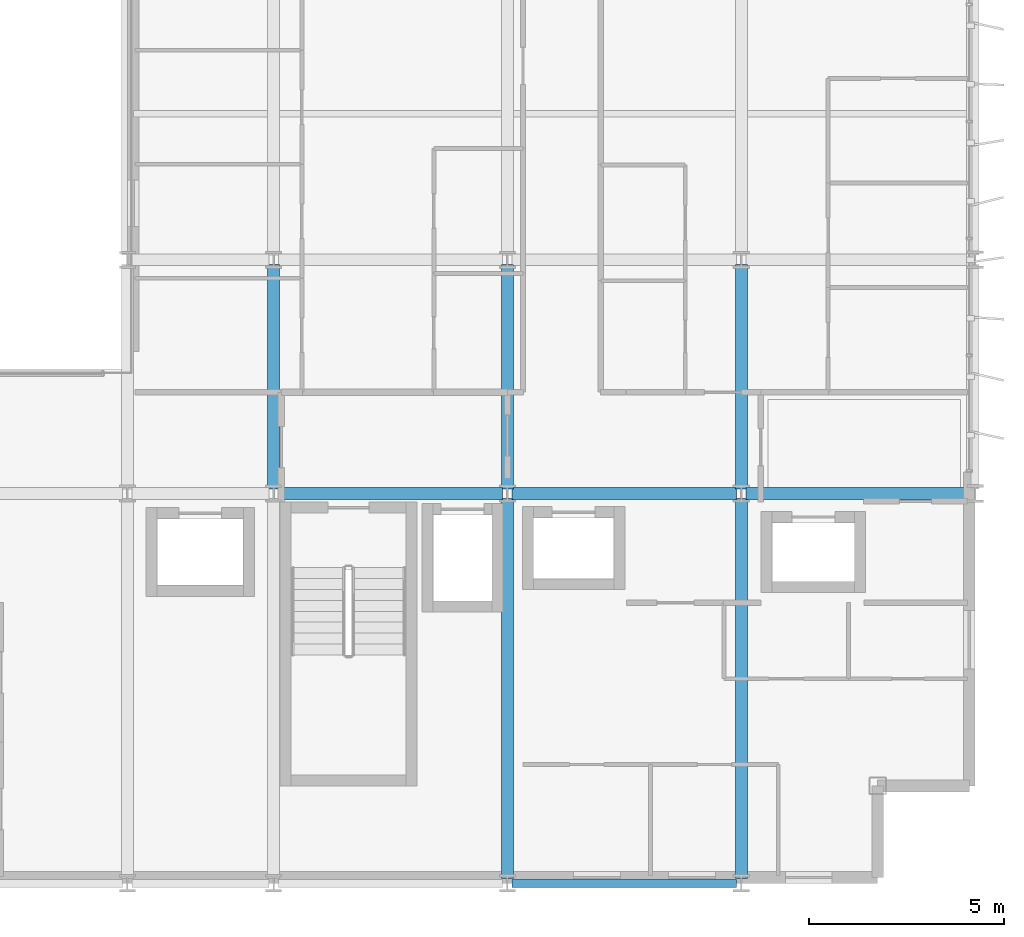
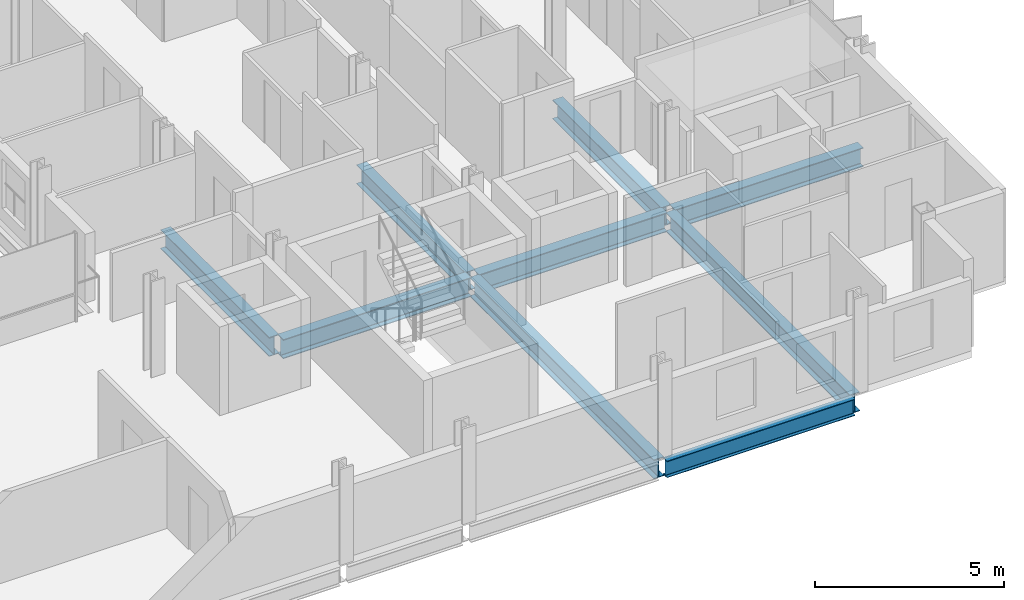
# One storey, part 14 of 38: 9 beams.
"""IFC4 building model written with IfcOpenShell, lengths in metres."""

from ifc_helpers import new_model, si_unit, direction, frame, origin, origin_2d, place, context, subcontext, project, spatial, i_section, extrude, material, material_profile, profile_set, type_object, element, save


model = new_model("IFC4")

# Units and contexts
model_context = context("Model", 3, precision=1e-05, world=origin(), true_north=direction((0.0, 1.0)))
body_context = subcontext(model_context, "Body", "Model", "MODEL_VIEW")
ifc_project = project(units=[si_unit("LENGTHUNIT", "METRE"), si_unit("AREAUNIT", "SQUARE_METRE"), si_unit("VOLUMEUNIT", "CUBIC_METRE"), si_unit("PLANEANGLEUNIT", "RADIAN"), si_unit("MASSUNIT", "GRAM", prefix="KILO")], contexts=[model_context])

# Site, building, storey
site_placement = place(None, origin())
site = spatial("IfcSite", under=ifc_project, at=site_placement, CompositionType="ELEMENT")
building_placement = place(site_placement, origin())
building = spatial("IfcBuilding", under=site, at=building_placement, Name="Brevholm Reach", CompositionType="ELEMENT")
storey_placement = place(building_placement, frame((0.0, 0.0, 71.39990234375)))
storey = spatial("IfcBuildingStorey", under=building, at=storey_placement, Name="L20", CompositionType="ELEMENT", Elevation=71.39990234375)

# Beams
ifc_material_1 = material(Name="Structural Steel S355J2", Category="steel")
ifc_material_profile_1 = material_profile(ifc_material_1, i_section(OverallWidth=0.210693359375, OverallDepth=0.53955078125, WebThickness=0.01171875, FlangeThickness=0.018798828125, FilletRadius=0.0126953125, at=origin_2d()), Name="UKB 533x210x109")
ifc_profile_set_1 = profile_set([ifc_material_profile_1], Name="Structural Steel S355J2")
beam_type_1 = type_object("IfcBeamType", Name="BM-SP539", PredefinedType="SPANDREL", material=ifc_profile_set_1)
beam_1_placement = place(storey_placement, frame((48.1201171875, 0.0, -0.499755859375), z_axis=(1.0, 0.0, 0.0), x_axis=(0.0, 1.0, 0.0)))
element("IfcBeam", 1, at=beam_1_placement, inside=storey, type_object=beam_type_1, Name="L20 SP-01B Framing Beam", PredefinedType="SPANDREL", context=body_context, shape_type="SweptSolid", body=[
    extrude(i_section(OverallWidth=0.210693359375, OverallDepth=0.53955078125, WebThickness=0.01171875, FlangeThickness=0.018798828125, FilletRadius=0.0126953125, at=origin_2d()), origin(), (0.0, 0.0, 1.0), 5.759765625),
])
ifc_material_2 = material(Name="Structural Steel S355J2", Category="steel")
ifc_material_profile_2 = material_profile(ifc_material_2, i_section(OverallWidth=0.30712890625, OverallDepth=0.6201171875, WebThickness=0.01416015625, FlangeThickness=0.023681640625, FilletRadius=0.0166015625, at=origin_2d()), Name="UKB 610x305x179")
ifc_profile_set_2 = profile_set([ifc_material_profile_2], Name="Structural Steel S355J2")
beam_type_2 = type_object("IfcBeamType", Name="BM-UKB610H", PredefinedType="USERDEFINED", material=ifc_profile_set_2)
for number, where, z_axis, x_axis, name in (
    (2, (42.1201171875, 10.0, -0.5400390625), (1.0, 0.0, 0.0), (0.0, 1.0, 0.0), "L20 G-06 Framing Beam"),
    (3, (48.1201171875, 10.0, -0.5400390625), (1.0, 0.0, 0.0), (0.0, 1.0, 0.0), "L20 G-06 Framing Beam"),
    (4, (54.1201171875, 10.0, -0.5400390625), (1.0, 0.0, 0.0), (0.0, 1.0, 0.0), "L20 G-06 Framing Beam"),
    (5, (42.0, 10.1201171875, -0.5400390625), (0.0, 1.0, 0.0), (-1.0, 0.0, 0.0), "L20 G-06 Framing Beam"),
):
    element("IfcBeam", number, at=place(storey_placement, frame(where, z_axis=z_axis, x_axis=x_axis)), inside=storey, type_object=beam_type_2, Name=name, ObjectType="GIRDER", PredefinedType="USERDEFINED", context=body_context, shape_type="SweptSolid", body=[
        extrude(i_section(OverallWidth=0.30712890625, OverallDepth=0.6201171875, WebThickness=0.01416015625, FlangeThickness=0.023681640625, FilletRadius=0.0166015625, at=origin_2d()), origin(), (0.0, 0.0, 1.0), 5.759765625),
    ])
beam_2_placement = place(storey_placement, frame((48.0, 0.1201171875, -0.5400390625), z_axis=(0.0, 1.0, 0.0), x_axis=(-1.0, 0.0, 0.0)))
element("IfcBeam", 6, at=beam_2_placement, inside=storey, type_object=beam_type_2, Name="L20 G-06 Framing Beam", ObjectType="GIRDER", PredefinedType="USERDEFINED", context=body_context, shape_type="SweptSolid", body=[
    extrude(i_section(OverallWidth=0.30712890625, OverallDepth=0.6201171875, WebThickness=0.01416015625, FlangeThickness=0.023681640625, FilletRadius=0.0166015625, at=origin_2d()), origin(), (0.0, 0.0, 1.0), 9.759765625),
])
beam_3_placement = place(storey_placement, frame((48.0, 10.1201171875, -0.5400390625), z_axis=(0.0, 1.0, 0.0), x_axis=(-1.0, 0.0, 0.0)))
element("IfcBeam", 7, at=beam_3_placement, inside=storey, type_object=beam_type_2, Name="L20 G-06 Framing Beam", ObjectType="GIRDER", PredefinedType="USERDEFINED", context=body_context, shape_type="SweptSolid", body=[
    extrude(i_section(OverallWidth=0.30712890625, OverallDepth=0.6201171875, WebThickness=0.01416015625, FlangeThickness=0.023681640625, FilletRadius=0.0166015625, at=origin_2d()), origin(), (0.0, 0.0, 1.0), 5.759765625),
])
beam_4_placement = place(storey_placement, frame((54.0, 0.1201171875, -0.5400390625), z_axis=(0.0, 1.0, 0.0), x_axis=(-1.0, 0.0, 0.0)))
element("IfcBeam", 8, at=beam_4_placement, inside=storey, type_object=beam_type_2, Name="L20 G-06 Framing Beam", ObjectType="GIRDER", PredefinedType="USERDEFINED", context=body_context, shape_type="SweptSolid", body=[
    extrude(i_section(OverallWidth=0.30712890625, OverallDepth=0.6201171875, WebThickness=0.01416015625, FlangeThickness=0.023681640625, FilletRadius=0.0166015625, at=origin_2d()), origin(), (0.0, 0.0, 1.0), 9.759765625),
])
beam_5_placement = place(storey_placement, frame((54.0, 10.1201171875, -0.5400390625), z_axis=(0.0, 1.0, 0.0), x_axis=(-1.0, 0.0, 0.0)))
element("IfcBeam", 9, at=beam_5_placement, inside=storey, type_object=beam_type_2, Name="L20 G-06 Framing Beam", ObjectType="GIRDER", PredefinedType="USERDEFINED", context=body_context, shape_type="SweptSolid", body=[
    extrude(i_section(OverallWidth=0.30712890625, OverallDepth=0.6201171875, WebThickness=0.01416015625, FlangeThickness=0.023681640625, FilletRadius=0.0166015625, at=origin_2d()), origin(), (0.0, 0.0, 1.0), 5.759765625),
])

save(model, "model.ifc")
